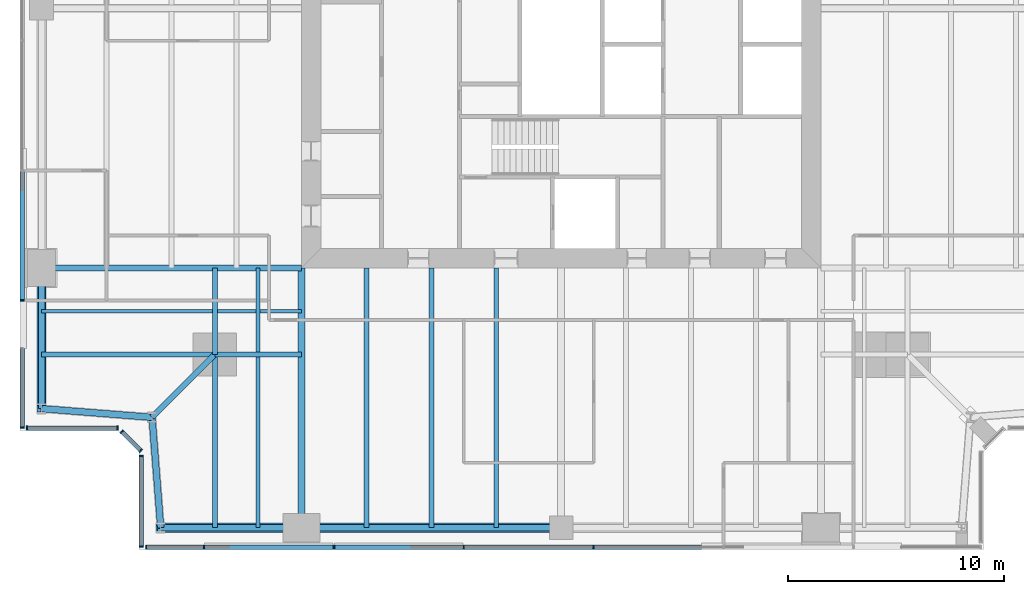
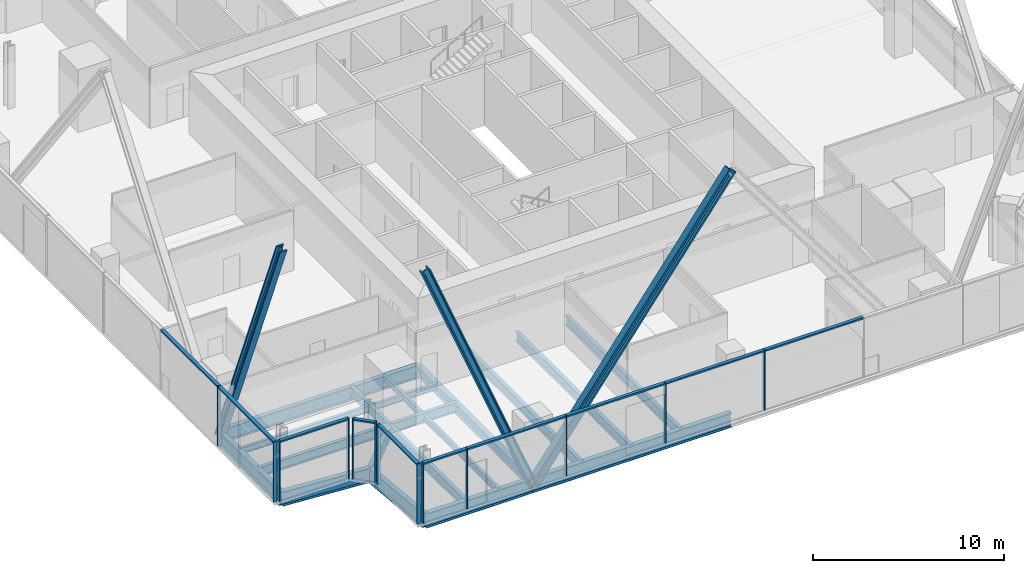
# One storey, part 2 of 13: 26 members, 20 beams, 5 elements without a shape of their own.
"""IFC4 building model written with IfcOpenShell, lengths in metres."""

import ifcopenshell
import ifcopenshell.guid

model = None  # the IFC model being written
_history = None  # IfcOwnerHistory: only IFC2X3 demands one
_inside = {}  # id of a spatial element -> (the spatial element, [elements in it])
_under = {}  # id of a project, library or spatial element -> (it, [spatial elements below it])
_declared = {}  # id of a project -> (the project, [libraries it declares])
_typed = {}  # id of a type object -> (the type object, [elements of that type])
_made_of = {}  # id of a material, layer set ... -> (it, [elements and type objects made of it])


def new_model(schema):
    """Start an empty IFC model of exactly this schema.

    Asked for "IFC4X3", IfcOpenShell would pick the latest addendum, in which some entities
    have other attributes; the version numbers below select the first issue.
    IFC2X3 requires an IfcOwnerHistory on every rooted entity: one is made here for all.
    """
    global model, _history
    if schema == "IFC4X3":
        model = ifcopenshell.file(schema_version=(4, 3, 0, 0))
    else:
        model = ifcopenshell.file(schema=schema)
    _inside.clear()
    _under.clear()
    _declared.clear()
    _typed.clear()
    _made_of.clear()
    _history = None
    if model.schema == "IFC2X3":
        org = make("IfcOrganization", Name="unknown")
        user = make(
            "IfcPersonAndOrganization",
            ThePerson=make("IfcPerson", FamilyName="unknown"),
            TheOrganization=org,
        )
        app = make(
            "IfcApplication",
            ApplicationDeveloper=org,
            Version="unknown",
            ApplicationFullName="unknown",
            ApplicationIdentifier="unknown",
        )
        _history = make(
            "IfcOwnerHistory",
            OwningUser=user,
            OwningApplication=app,
            ChangeAction="ADDED",
            CreationDate=0,
        )
    return model


def make(cls, **values):
    """One entity of the class cls with the attributes given. An attribute that is None is left unset."""
    return model.create_entity(
        cls, **{name: value for name, value in values.items() if value is not None}
    )


def rooted(cls, **values):
    """An entity with a GlobalId (a new one), such as an element, a storey or a relation."""
    return make(cls, GlobalId=ifcopenshell.guid.new(), OwnerHistory=_history, **values)


def si_unit(unit_type, name, prefix=None):
    """IfcSIUnit, for example si_unit("LENGTHUNIT", "METRE", prefix="MILLI")."""
    return make("IfcSIUnit", UnitType=unit_type, Prefix=prefix, Name=name)


def assignment(units):
    """IfcUnitAssignment: the units of a project."""
    return None if units is None else make("IfcUnitAssignment", Units=units)


def point(xyz):
    """IfcCartesianPoint."""
    return None if xyz is None else make("IfcCartesianPoint", Coordinates=xyz)


def direction(xyz):
    """IfcDirection."""
    return None if xyz is None else make("IfcDirection", DirectionRatios=xyz)


def frame(location, z_axis=None, x_axis=None):
    """IfcAxis2Placement3D, a coordinate frame: its origin and axes. An axis left out is left unset."""
    return make(
        "IfcAxis2Placement3D",
        Location=point(location),
        Axis=direction(z_axis),
        RefDirection=direction(x_axis),
    )


def frame_2d(location, x_axis=None):
    """IfcAxis2Placement2D, a coordinate frame in the plane: its origin and x axis."""
    return make(
        "IfcAxis2Placement2D", Location=point(location), RefDirection=direction(x_axis)
    )


def origin():
    """The frame at (0, 0, 0) with its axes left unset."""
    return frame((0.0, 0.0, 0.0))


def origin_2d():
    """The frame at (0, 0) in the plane with its x axis left unset."""
    return frame_2d((0.0, 0.0))


def place(relative_to, where):
    """IfcLocalPlacement: puts the frame where relative to a parent placement (None: the world)."""
    return make(
        "IfcLocalPlacement", PlacementRelTo=relative_to, RelativePlacement=where
    )


def context(
    kind, dimensions, precision=None, world=None, true_north=None, identifier=None
):
    """IfcGeometricRepresentationContext, for example the 3D "Model" context."""
    return make(
        "IfcGeometricRepresentationContext",
        ContextIdentifier=identifier,
        ContextType=kind,
        CoordinateSpaceDimension=dimensions,
        Precision=precision,
        WorldCoordinateSystem=world,
        TrueNorth=true_north,
    )


def subcontext(parent, identifier, kind, view, scale=None):
    """IfcGeometricRepresentationSubContext, for example "Body" below "Model"."""
    return make(
        "IfcGeometricRepresentationSubContext",
        ContextIdentifier=identifier,
        ContextType=kind,
        ParentContext=parent,
        TargetScale=scale,
        TargetView=view,
    )


def project(units=None, contexts=None):
    """IfcProject with its units and contexts."""
    return rooted(
        "IfcProject",
        Name="project",
        RepresentationContexts=contexts,
        UnitsInContext=assignment(units),
    )


def spatial(cls, under=None, at=None, **own):
    """A site, building, storey or space (cls), placed at a placement, below another one or the project."""
    s = rooted(cls, ObjectPlacement=at, **own)
    if under is not None:
        _under.setdefault(under.id(), (under, []))[1].append(s)
    return s


def profile(cls, at=None, kind="AREA", **sizes):
    """A parametric profile (cls). Its sizes go by their IFC names, for example OverallWidth=200.0."""
    return make(cls, ProfileType=kind, Position=at, **sizes)


def rectangle(**sizes):
    """IfcRectangleProfileDef."""
    return profile("IfcRectangleProfileDef", **sizes)


def i_section(**sizes):
    """IfcIShapeProfileDef."""
    return profile("IfcIShapeProfileDef", **sizes)


def extrude(swept, where, along, depth):
    """IfcExtrudedAreaSolid: the profile swept, set in the frame where, extruded along a direction by depth."""
    return make(
        "IfcExtrudedAreaSolid",
        SweptArea=swept,
        Position=where,
        ExtrudedDirection=direction(along),
        Depth=depth,
    )


def shape(context_of_items, identifier, shape_type, items):
    """IfcShapeRepresentation: the items that make up one representation, for example the "Body"."""
    return make(
        "IfcShapeRepresentation",
        ContextOfItems=context_of_items,
        RepresentationIdentifier=identifier,
        RepresentationType=shape_type,
        Items=items,
    )


def material(Name=None, Category=None):
    """IfcMaterial."""
    return make("IfcMaterial", Name=Name, Category=Category)


def material_profile(
    of_material, cross_section, Name=None, Category=None, Priority=None
):
    """IfcMaterialProfile: a cross section and its material."""
    return make(
        "IfcMaterialProfile",
        Name=Name,
        Material=of_material,
        Profile=cross_section,
        Priority=Priority,
        Category=Category,
    )


def profile_set(profiles, Name=None, composite=None):
    """IfcMaterialProfileSet."""
    return make(
        "IfcMaterialProfileSet",
        Name=Name,
        MaterialProfiles=profiles,
        CompositeProfile=composite,
    )


def made_of(thing, what):
    """Note that an element or type object is made of a material, layer set ...; save() writes the relation."""
    if what is not None:
        _made_of.setdefault(what.id(), (what, []))[1].append(thing)
    return thing


def type_object(cls, material=None, **own):
    """A type object (cls), such as IfcWallType, which elements share."""
    return made_of(rooted(cls, **own), material)


def element(
    cls,
    number,
    at=None,
    inside=None,
    cuts=None,
    type_object=None,
    material=None,
    context=None,
    identifier="Body",
    shape_type=None,
    held_by="IfcProductDefinitionShape",
    body=None,
    shapes=None,
    **own,
):
    """One element of the class cls, such as IfcWall. Its Tag is "e" and its number.

    at: its placement. inside: the storey or other place that contains it. cuts: it is an
    opening in that element (IfcRelVoidsElement). A single representation is given by context,
    identifier, shape_type and body (its items); several are given by shapes. held_by: the class
    of the entity that holds the representations. save() writes the other relations.
    """
    e = rooted(cls, Tag="e%d" % number, ObjectPlacement=at, **own)
    if body is not None:
        shapes = [shape(context, identifier, shape_type, body)]
    if shapes is not None:
        e.Representation = make(held_by, Representations=shapes)
    if inside is not None:
        _inside.setdefault(inside.id(), (inside, []))[1].append(e)
    if cuts is not None:
        rooted(
            "IfcRelVoidsElement", RelatingBuildingElement=cuts, RelatedOpeningElement=e
        )
    if type_object is not None:
        _typed.setdefault(type_object.id(), (type_object, []))[1].append(e)
    return made_of(e, material)


def aggregate(whole, parts):
    """IfcRelAggregates: a whole, such as a stair, and the parts it consists of."""
    return rooted("IfcRelAggregates", RelatingObject=whole, RelatedObjects=parts)


def save(model, path):
    """Write the relations noted so far, then the file.

    IfcRelAggregates (storeys below a building ...), IfcRelContainedInSpatialStructure (elements
    in a storey), IfcRelDefinesByType, IfcRelAssociatesMaterial and IfcRelDeclares: one each for
    every whole, place, type object, material and project.
    """
    for whole, parts in _under.values():
        aggregate(whole, parts)
    for where, things in _inside.values():
        rooted(
            "IfcRelContainedInSpatialStructure",
            RelatedElements=things,
            RelatingStructure=where,
        )
    for kind, things in _typed.values():
        rooted("IfcRelDefinesByType", RelatedObjects=things, RelatingType=kind)
    for what, things in _made_of.values():
        rooted("IfcRelAssociatesMaterial", RelatedObjects=things, RelatingMaterial=what)
    for by, libraries in _declared.values():
        rooted("IfcRelDeclares", RelatingContext=by, RelatedDefinitions=libraries)
    model.write(path)


model = new_model("IFC4")

# Units and contexts
model_context = context("Model", 3, precision=1e-05, world=origin(), true_north=direction((0.0, 1.0)))
body_context = subcontext(model_context, "Body", "Model", "MODEL_VIEW")
ifc_project = project(units=[si_unit("LENGTHUNIT", "METRE"), si_unit("AREAUNIT", "SQUARE_METRE"), si_unit("VOLUMEUNIT", "CUBIC_METRE"), si_unit("PLANEANGLEUNIT", "RADIAN"), si_unit("MASSUNIT", "GRAM", prefix="KILO")], contexts=[model_context])

# Site, building, storey
site_placement = place(None, origin())
site = spatial("IfcSite", under=ifc_project, at=site_placement, CompositionType="ELEMENT")
building_placement = place(site_placement, origin())
building = spatial("IfcBuilding", under=site, at=building_placement, Name="Fenwick Lantern Interchange", CompositionType="ELEMENT")
storey_placement = place(building_placement, frame((0.0, 0.0, 201.800048828125)))
storey = spatial("IfcBuildingStorey", under=building, at=storey_placement, Name="L47", CompositionType="ELEMENT", Elevation=201.800048828125)

# Beams
ifc_material_1 = material(Name="Steel ASTM A992 Grade 50", Category="steel")
ifc_material_profile_1 = material_profile(ifc_material_1, i_section(OverallWidth=0.3046875, OverallDepth=0.911865234375, WebThickness=0.015869140625, FlangeThickness=0.02392578125, at=origin_2d()), Name="W36X150")
ifc_profile_set_1 = profile_set([ifc_material_profile_1], Name="Steel ASTM A992 Grade 50")
beam_type_1 = type_object("IfcBeamType", Name="EDGE BEAM W36X150", PredefinedType="SPANDREL", material=ifc_profile_set_1)
beam_1_placement = place(storey_placement, frame((6.5, 1.0, -0.60595703125), z_axis=(1.0, 0.0, 0.0), x_axis=(0.0, 1.0, 0.0)))
element("IfcBeam", 1, at=beam_1_placement, inside=storey, type_object=beam_type_1, Name="L47/FR/S/EB1", PredefinedType="SPANDREL", context=body_context, shape_type="SweptSolid", body=[
    extrude(i_section(OverallWidth=0.3046875, OverallDepth=0.911865234375, WebThickness=0.015869140625, FlangeThickness=0.02392578125, at=origin_2d()), origin(), (0.0, 0.0, 1.0), 6.5),
])
beam_2_placement = place(storey_placement, frame((13.0, 1.0, -0.60595703125), z_axis=(1.0, 0.0, 0.0), x_axis=(0.0, 1.0, 0.0)))
element("IfcBeam", 2, at=beam_2_placement, inside=storey, type_object=beam_type_1, Name="L47/FR/S/EB2", PredefinedType="SPANDREL", context=body_context, shape_type="SweptSolid", body=[
    extrude(i_section(OverallWidth=0.3046875, OverallDepth=0.911865234375, WebThickness=0.015869140625, FlangeThickness=0.02392578125, at=origin_2d()), origin(), (0.0, 0.0, 1.0), 12.0),
])
beam_3_placement = place(storey_placement, frame((1.0, 13.0, -0.60595703125), z_axis=(0.0, -1.0, 0.0), x_axis=(1.0, 0.0, 0.0)))
element("IfcBeam", 3, at=beam_3_placement, inside=storey, type_object=beam_type_1, Name="L47/FR/W/EB4", PredefinedType="SPANDREL", context=body_context, shape_type="SweptSolid", body=[
    extrude(i_section(OverallWidth=0.3046875, OverallDepth=0.911865234375, WebThickness=0.015869140625, FlangeThickness=0.02392578125, at=origin_2d()), origin(), (0.0, 0.0, 1.0), 6.5),
])
for number, where, z_axis, x_axis, name in (
    (4, (1.0, 6.5, -0.60595703125), (0.99693998236, -0.078170784639, 0.0), (0.078170784639, 0.99693998236, 0.0), "L47/FR/W/EBR1"),
    (5, (6.10009765625, 6.10009765625, -0.60595703125), (0.078170784639, -0.99693998236, 0.0), (0.99693998236, 0.078170784639, 0.0), "L47/FR/W/EBR2"),
):
    element("IfcBeam", number, at=place(storey_placement, frame(where, z_axis=z_axis, x_axis=x_axis)), inside=storey, type_object=beam_type_1, Name=name, PredefinedType="SPANDREL", context=body_context, shape_type="SweptSolid", body=[
        extrude(i_section(OverallWidth=0.3046875, OverallDepth=0.911865234375, WebThickness=0.015869140625, FlangeThickness=0.02392578125, at=origin_2d()), origin(), (0.0, 0.0, 1.0), 5.11572265625),
    ])

# Members
ifc_material_profile_2 = material_profile(ifc_material_1, i_section(OverallWidth=0.424072265625, OverallDepth=0.47509765625, WebThickness=0.0478515625, FlangeThickness=0.0771484375, at=origin_2d()), Name="W14X426")
ifc_profile_set_2 = profile_set([ifc_material_profile_2], Name="Steel ASTM A992 Grade 50")
member_type_1 = type_object("IfcMemberType", Name="FACADE BRACE W14X426", PredefinedType="BRACE", material=ifc_profile_set_2)
for number, where, z_axis, x_axis, name in (
    (6, (13.0, 1.0, -0.60595703125), (-0.376377046956, 0.0, 0.926466577122), (0.0, -1.0, 0.0), "L47/FB/S/AE"),
    (7, (1.0, 13.0, -0.60595703125), (0.0, -0.376377046956, 0.926466577122), (1.0, 0.0, 0.0), "L47/FB/W/BE"),
):
    element("IfcMember", number, at=place(storey_placement, frame(where, z_axis=z_axis, x_axis=x_axis)), inside=storey, type_object=member_type_1, Name=name, PredefinedType="BRACE", context=body_context, shape_type="SweptSolid", body=[
        extrude(i_section(OverallWidth=0.424072265625, OverallDepth=0.47509765625, WebThickness=0.0478515625, FlangeThickness=0.0771484375, at=origin_2d()), origin(), (0.0, 0.0, 1.0), 17.27001953125),
    ])
ifc_material_profile_3 = material_profile(ifc_material_1, i_section(OverallWidth=0.44189453125, OverallDepth=0.53076171875, WebThickness=0.06591796875, FlangeThickness=0.105712890625, at=origin_2d()), Name="W14X605")
ifc_profile_set_3 = profile_set([ifc_material_profile_3], Name="Steel ASTM A992 Grade 50")
member_type_2 = type_object("IfcMemberType", Name="FACADE BRACE W14X605", PredefinedType="BRACE", material=ifc_profile_set_3)
member_1_placement = place(storey_placement, frame((13.0, 1.0, -0.60595703125), z_axis=(0.6, 0.0, 0.8), x_axis=(0.0, 1.0, 0.0)))
element("IfcMember", 8, at=member_1_placement, inside=storey, type_object=member_type_2, Name="L47/FB/S/A", PredefinedType="BRACE", context=body_context, shape_type="SweptSolid", body=[
    extrude(i_section(OverallWidth=0.44189453125, OverallDepth=0.53076171875, WebThickness=0.06591796875, FlangeThickness=0.105712890625, at=origin_2d()), origin(), (0.0, 0.0, 1.0), 20.0),
])

# Beams
ifc_material_profile_4 = material_profile(ifc_material_1, i_section(OverallWidth=0.22900390625, OverallDepth=0.612060546875, WebThickness=0.011962890625, FlangeThickness=0.01953125, at=origin_2d()), Name="W24X84")
ifc_profile_set_4 = profile_set([ifc_material_profile_4], Name="Steel ASTM A992 Grade 50")
beam_type_2 = type_object("IfcBeamType", Name="FLOOR BEAM W24X84", PredefinedType="BEAM", material=ifc_profile_set_4)
for number, where, z_axis, x_axis, name in (
    (9, (16.0, 1.0, -0.4560546875), (0.0, 1.0, 0.0), (-1.0, 0.0, 0.0), "L47/FR/S/R02"),
    (10, (19.0, 1.0, -0.4560546875), (0.0, 1.0, 0.0), (-1.0, 0.0, 0.0), "L47/FR/S/R03"),
    (11, (22.0, 1.0, -0.4560546875), (0.0, 1.0, 0.0), (-1.0, 0.0, 0.0), "L47/FR/S/R04"),
):
    element("IfcBeam", number, at=place(storey_placement, frame(where, z_axis=z_axis, x_axis=x_axis)), inside=storey, type_object=beam_type_2, Name=name, PredefinedType="BEAM", context=body_context, shape_type="SweptSolid", body=[
        extrude(i_section(OverallWidth=0.22900390625, OverallDepth=0.612060546875, WebThickness=0.011962890625, FlangeThickness=0.01953125, at=origin_2d()), origin(), (0.0, 0.0, 1.0), 12.0),
    ])
ifc_material_profile_5 = material_profile(ifc_material_1, i_section(OverallWidth=0.177734375, OverallDepth=0.406494140625, WebThickness=0.0078125, FlangeThickness=0.012939453125, at=origin_2d()), Name="W16X40")
ifc_profile_set_5 = profile_set([ifc_material_profile_5], Name="Steel ASTM A992 Grade 50")
beam_type_3 = type_object("IfcBeamType", Name="INFILL BEAM W16X40", PredefinedType="JOIST", material=ifc_profile_set_5)
beam_4_placement = place(storey_placement, frame((11.0, 1.0, -0.353271484375), z_axis=(0.0, 1.0, 0.0), x_axis=(-1.0, 0.0, 0.0)))
element("IfcBeam", 12, at=beam_4_placement, inside=storey, type_object=beam_type_3, Name="L47/FR/S/J1", PredefinedType="JOIST", context=body_context, shape_type="SweptSolid", body=[
    extrude(i_section(OverallWidth=0.177734375, OverallDepth=0.406494140625, WebThickness=0.0078125, FlangeThickness=0.012939453125, at=origin_2d()), origin(), (0.0, 0.0, 1.0), 7.885498046875),
])
beam_5_placement = place(storey_placement, frame((11.0, 9.114501953125, -0.353271484375), z_axis=(0.0, 1.0, 0.0), x_axis=(-1.0, 0.0, 0.0)))
element("IfcBeam", 13, at=beam_5_placement, inside=storey, type_object=beam_type_3, Name="L47/FR/S/J2", PredefinedType="JOIST", context=body_context, shape_type="SweptSolid", body=[
    extrude(i_section(OverallWidth=0.177734375, OverallDepth=0.406494140625, WebThickness=0.0078125, FlangeThickness=0.012939453125, at=origin_2d()), origin(), (0.0, 0.0, 1.0), 3.885498046875),
])
beam_6_placement = place(storey_placement, frame((1.0, 11.0, -0.353271484375), z_axis=(1.0, 0.0, 0.0), x_axis=(0.0, 1.0, 0.0)))
element("IfcBeam", 14, at=beam_6_placement, inside=storey, type_object=beam_type_3, Name="L47/FR/S/J3", PredefinedType="JOIST", context=body_context, shape_type="SweptSolid", body=[
    extrude(i_section(OverallWidth=0.177734375, OverallDepth=0.406494140625, WebThickness=0.0078125, FlangeThickness=0.012939453125, at=origin_2d()), origin(), (0.0, 0.0, 1.0), 7.885498046875),
])
beam_7_placement = place(storey_placement, frame((9.114501953125, 11.0, -0.353271484375), z_axis=(1.0, 0.0, 0.0), x_axis=(0.0, 1.0, 0.0)))
element("IfcBeam", 15, at=beam_7_placement, inside=storey, type_object=beam_type_3, Name="L47/FR/S/J4", PredefinedType="JOIST", context=body_context, shape_type="SweptSolid", body=[
    extrude(i_section(OverallWidth=0.177734375, OverallDepth=0.406494140625, WebThickness=0.0078125, FlangeThickness=0.012939453125, at=origin_2d()), origin(), (0.0, 0.0, 1.0), 1.796630859375),
])
beam_8_placement = place(storey_placement, frame((11.0888671875, 11.0, -0.353271484375), z_axis=(1.0, 0.0, 0.0), x_axis=(0.0, 1.0, 0.0)))
element("IfcBeam", 16, at=beam_8_placement, inside=storey, type_object=beam_type_3, Name="L47/FR/S/J5", PredefinedType="JOIST", context=body_context, shape_type="SweptSolid", body=[
    extrude(i_section(OverallWidth=0.177734375, OverallDepth=0.406494140625, WebThickness=0.0078125, FlangeThickness=0.012939453125, at=origin_2d()), origin(), (0.0, 0.0, 1.0), 1.9111328125),
])
ifc_material_profile_6 = material_profile(ifc_material_1, i_section(OverallWidth=0.22900390625, OverallDepth=0.612060546875, WebThickness=0.011962890625, FlangeThickness=0.01953125, at=origin_2d()), Name="W24X84")
ifc_profile_set_6 = profile_set([ifc_material_profile_6], Name="Steel ASTM A992 Grade 50")
beam_type_4 = type_object("IfcBeamType", Name="MEGA COLUMN BEAM W24X84", PredefinedType="BEAM", material=ifc_profile_set_6)
for number, where, z_axis, x_axis, name in (
    (17, (9.0, 9.0, -0.4560546875), (0.0, -1.0, 0.0), (1.0, 0.0, 0.0), "L47/FR/S/MB1"),
    (18, (9.0, 9.0, -0.4560546875), (-1.0, 0.0, 0.0), (0.0, -1.0, 0.0), "L47/FR/S/MB2"),
):
    element("IfcBeam", number, at=place(storey_placement, frame(where, z_axis=z_axis, x_axis=x_axis)), inside=storey, type_object=beam_type_4, Name=name, PredefinedType="BEAM", context=body_context, shape_type="SweptSolid", body=[
        extrude(i_section(OverallWidth=0.22900390625, OverallDepth=0.612060546875, WebThickness=0.011962890625, FlangeThickness=0.01953125, at=origin_2d()), origin(), (0.0, 0.0, 1.0), 8.0),
    ])
for number, where, z_axis, x_axis, name in (
    (19, (9.0, 9.0, -0.4560546875), (1.0, 0.0, 0.0), (0.0, 1.0, 0.0), "L47/FR/S/MB3"),
    (20, (9.0, 9.0, -0.4560546875), (0.0, 1.0, 0.0), (-1.0, 0.0, 0.0), "L47/FR/S/MB4"),
):
    element("IfcBeam", number, at=place(storey_placement, frame(where, z_axis=z_axis, x_axis=x_axis)), inside=storey, type_object=beam_type_4, Name=name, PredefinedType="BEAM", context=body_context, shape_type="SweptSolid", body=[
        extrude(i_section(OverallWidth=0.22900390625, OverallDepth=0.612060546875, WebThickness=0.011962890625, FlangeThickness=0.01953125, at=origin_2d()), origin(), (0.0, 0.0, 1.0), 4.0),
    ])
ifc_material_profile_7 = material_profile(ifc_material_1, i_section(OverallWidth=0.32763671875, OverallDepth=0.622314453125, WebThickness=0.015380859375, FlangeThickness=0.0244140625, at=origin_2d()), Name="W24X131")
ifc_profile_set_7 = profile_set([ifc_material_profile_7], Name="Steel ASTM A992 Grade 50")
beam_type_5 = type_object("IfcBeamType", Name="MOMENT-CONNECTED GIRDER W24X131", PredefinedType="BEAM", material=ifc_profile_set_7)
beam_9_placement = place(storey_placement, frame((13.0, 1.0, -0.461181640625), z_axis=(0.0, 1.0, 0.0), x_axis=(-1.0, 0.0, 0.0)))
element("IfcBeam", 21, at=beam_9_placement, inside=storey, type_object=beam_type_5, Name="L47/FR/S/R01", PredefinedType="BEAM", context=body_context, shape_type="SweptSolid", body=[
    extrude(i_section(OverallWidth=0.32763671875, OverallDepth=0.622314453125, WebThickness=0.015380859375, FlangeThickness=0.0244140625, at=origin_2d()), origin(), (0.0, 0.0, 1.0), 12.0),
])
ifc_material_profile_8 = material_profile(ifc_material_1, i_section(OverallWidth=0.2919921875, OverallDepth=0.845703125, WebThickness=0.015380859375, FlangeThickness=0.0244140625, at=origin_2d()), Name="W33X141")
ifc_profile_set_8 = profile_set([ifc_material_profile_8], Name="Steel ASTM A992 Grade 50")
beam_type_6 = type_object("IfcBeamType", Name="MOMENT-CONNECTED GIRDER W33X141", PredefinedType="BEAM", material=ifc_profile_set_8)
beam_10_placement = place(storey_placement, frame((1.0, 13.0, -0.572998046875), z_axis=(1.0, 0.0, 0.0), x_axis=(0.0, 1.0, 0.0)))
element("IfcBeam", 22, at=beam_10_placement, inside=storey, type_object=beam_type_6, Name="L47/FR/W/R03", PredefinedType="BEAM", context=body_context, shape_type="SweptSolid", body=[
    extrude(i_section(OverallWidth=0.2919921875, OverallDepth=0.845703125, WebThickness=0.015380859375, FlangeThickness=0.0244140625, at=origin_2d()), origin(), (0.0, 0.0, 1.0), 12.0),
])
ifc_material_profile_9 = material_profile(ifc_material_1, i_section(OverallWidth=0.2666015625, OverallDepth=0.7568359375, WebThickness=0.013916015625, FlangeThickness=0.019287109375, at=origin_2d()), Name="W30X108")
ifc_profile_set_9 = profile_set([ifc_material_profile_9], Name="Steel ASTM A992 Grade 50")
beam_type_7 = type_object("IfcBeamType", Name="NOTCH BEAM W30X108", PredefinedType="BEAM", material=ifc_profile_set_9)
beam_11_placement = place(storey_placement, frame((9.0, 9.0, -0.528564453125), z_axis=(-0.707106781187, -0.707106781187, 0.0), x_axis=(0.707106781187, -0.707106781187, 0.0)))
element("IfcBeam", 23, at=beam_11_placement, inside=storey, type_object=beam_type_7, Name="L47/FR/S/TG", PredefinedType="BEAM", context=body_context, shape_type="SweptSolid", body=[
    extrude(i_section(OverallWidth=0.2666015625, OverallDepth=0.7568359375, WebThickness=0.013916015625, FlangeThickness=0.019287109375, at=origin_2d()), origin(), (0.0, 0.0, 1.0), 4.10107421875),
])

# Curtain wall, members
ifc_material_2 = material(Name="Aluminium curtain wall frame", Category="aluminium")
curtain_wall_type = type_object("IfcCurtainWallType", Name="OFFICE CURTAIN WALL", PredefinedType="USERDEFINED", material=ifc_material_2)
curtain_wall_1_placement = place(storey_placement, origin())
curtain_wall_1 = element("IfcCurtainWall", 24, at=curtain_wall_1_placement, inside=storey, type_object=curtain_wall_type, Name="Office curtain wall 01", ObjectType="OFFICE CURTAIN WALL", PredefinedType="USERDEFINED")
ifc_material_3 = material(Name="Aluminium extrusion", Category="aluminium")
ifc_material_profile_10 = material_profile(ifc_material_3, rectangle(XDim=0.199951171875, YDim=0.06494140625, at=origin_2d()), Name="OFFICE CURTAIN WALL MULLION 65 X 200")
ifc_profile_set_10 = profile_set([ifc_material_profile_10], Name="Aluminium extrusion")
member_type_3 = type_object("IfcMemberType", Name="OFFICE CURTAIN WALL MULLION 65 X 200", PredefinedType="MULLION", material=ifc_profile_set_10)
member_2_placement = place(storey_placement, frame((5.83251953125, 0.10009765625, 0.0), z_axis=(0.0, 0.0, 1.0), x_axis=(0.0, 1.0, 0.0)))
member_2 = element("IfcMember", 25, at=member_2_placement, type_object=member_type_3, Name="L47/CW/01/M00", PredefinedType="MULLION", context=body_context, shape_type="SweptSolid", body=[
    extrude(rectangle(XDim=0.199951171875, YDim=0.06494140625, at=origin_2d()), origin(), (0.0, 0.0, 1.0), 3.849853515625),
])
member_3_placement = place(storey_placement, frame((8.5, 0.10009765625, 0.0), z_axis=(0.0, 0.0, 1.0), x_axis=(0.0, 1.0, 0.0)))
member_3 = element("IfcMember", 26, at=member_3_placement, type_object=member_type_3, Name="L47/CW/01/M01", PredefinedType="MULLION", context=body_context, shape_type="SweptSolid", body=[
    extrude(rectangle(XDim=0.199951171875, YDim=0.06494140625, at=origin_2d()), origin(), (0.0, 0.0, 1.0), 3.849853515625),
])
member_4_placement = place(storey_placement, frame((14.5, 0.10009765625, 0.0), z_axis=(0.0, 0.0, 1.0), x_axis=(0.0, 1.0, 0.0)))
member_4 = element("IfcMember", 27, at=member_4_placement, type_object=member_type_3, Name="L47/CW/01/M02", PredefinedType="MULLION", context=body_context, shape_type="SweptSolid", body=[
    extrude(rectangle(XDim=0.199951171875, YDim=0.06494140625, at=origin_2d()), origin(), (0.0, 0.0, 1.0), 3.849853515625),
])
member_5_placement = place(storey_placement, frame((20.5, 0.10009765625, 0.0), z_axis=(0.0, 0.0, 1.0), x_axis=(0.0, 1.0, 0.0)))
member_5 = element("IfcMember", 28, at=member_5_placement, type_object=member_type_3, Name="L47/CW/01/M03", PredefinedType="MULLION", context=body_context, shape_type="SweptSolid", body=[
    extrude(rectangle(XDim=0.199951171875, YDim=0.06494140625, at=origin_2d()), origin(), (0.0, 0.0, 1.0), 3.849853515625),
])
member_6_placement = place(storey_placement, frame((26.5, 0.10009765625, 0.0), z_axis=(0.0, 0.0, 1.0), x_axis=(0.0, 1.0, 0.0)))
member_6 = element("IfcMember", 29, at=member_6_placement, type_object=member_type_3, Name="L47/CW/01/M04", PredefinedType="MULLION", context=body_context, shape_type="SweptSolid", body=[
    extrude(rectangle(XDim=0.199951171875, YDim=0.06494140625, at=origin_2d()), origin(), (0.0, 0.0, 1.0), 3.849853515625),
])

curtain_wall_2_placement = place(storey_placement, origin())
curtain_wall_2 = element("IfcCurtainWall", 30, at=curtain_wall_2_placement, inside=storey, type_object=curtain_wall_type, Name="Office curtain wall 13", ObjectType="OFFICE CURTAIN WALL", PredefinedType="USERDEFINED")
member_7_placement = place(storey_placement, frame((0.10009765625, 11.5, 0.0), z_axis=(0.0, 0.0, 1.0), x_axis=(1.0, 0.0, 0.0)))
member_7 = element("IfcMember", 31, at=member_7_placement, type_object=member_type_3, Name="L47/CW/13/M06", PredefinedType="MULLION", context=body_context, shape_type="SweptSolid", body=[
    extrude(rectangle(XDim=0.199951171875, YDim=0.06494140625, at=origin_2d()), origin(), (0.0, 0.0, 1.0), 3.849853515625),
])
member_8_placement = place(storey_placement, frame((0.10009765625, 5.632568359375, 0.0), z_axis=(0.0, 0.0, 1.0), x_axis=(1.0, 0.0, 0.0)))
member_8 = element("IfcMember", 32, at=member_8_placement, type_object=member_type_3, Name="L47/CW/13/M07", PredefinedType="MULLION", context=body_context, shape_type="SweptSolid", body=[
    extrude(rectangle(XDim=0.199951171875, YDim=0.06494140625, at=origin_2d()), origin(), (0.0, 0.0, 1.0), 3.849853515625),
])

curtain_wall_3_placement = place(storey_placement, origin())
curtain_wall_3 = element("IfcCurtainWall", 33, at=curtain_wall_3_placement, inside=storey, type_object=curtain_wall_type, Name="Office curtain wall 14", ObjectType="OFFICE CURTAIN WALL", PredefinedType="USERDEFINED")
member_9_placement = place(storey_placement, frame((0.33251953125, 5.60009765625, 0.0), z_axis=(0.0, 0.0, 1.0), x_axis=(0.0, 1.0, 0.0)))
member_9 = element("IfcMember", 34, at=member_9_placement, type_object=member_type_3, Name="L47/CW/14/M00", PredefinedType="MULLION", context=body_context, shape_type="SweptSolid", body=[
    extrude(rectangle(XDim=0.199951171875, YDim=0.06494140625, at=origin_2d()), origin(), (0.0, 0.0, 1.0), 3.849853515625),
])
member_10_placement = place(storey_placement, frame((4.509033203125, 5.60009765625, 0.0), z_axis=(0.0, 0.0, 1.0), x_axis=(0.0, 1.0, 0.0)))
member_10 = element("IfcMember", 35, at=member_10_placement, type_object=member_type_3, Name="L47/CW/14/M01", PredefinedType="MULLION", context=body_context, shape_type="SweptSolid", body=[
    extrude(rectangle(XDim=0.199951171875, YDim=0.06494140625, at=origin_2d()), origin(), (0.0, 0.0, 1.0), 3.849853515625),
])

curtain_wall_4_placement = place(storey_placement, origin())
curtain_wall_4 = element("IfcCurtainWall", 36, at=curtain_wall_4_placement, inside=storey, type_object=curtain_wall_type, Name="Office curtain wall 15", ObjectType="OFFICE CURTAIN WALL", PredefinedType="USERDEFINED")
member_11_placement = place(storey_placement, frame((4.705810546875, 5.435546875, 0.0), z_axis=(0.0, 0.0, 1.0), x_axis=(0.707106781187, 0.707106781187, 0.0)))
member_11 = element("IfcMember", 37, at=member_11_placement, type_object=member_type_3, Name="L47/CW/15/M00", PredefinedType="MULLION", context=body_context, shape_type="SweptSolid", body=[
    extrude(rectangle(XDim=0.199951171875, YDim=0.06494140625, at=origin_2d()), origin(), (0.0, 0.0, 1.0), 3.849853515625),
])
member_12_placement = place(storey_placement, frame((5.576904296875, 4.564453125, 0.0), z_axis=(0.0, 0.0, 1.0), x_axis=(0.707106781187, 0.707106781187, 0.0)))
member_12 = element("IfcMember", 38, at=member_12_placement, type_object=member_type_3, Name="L47/CW/15/M01", PredefinedType="MULLION", context=body_context, shape_type="SweptSolid", body=[
    extrude(rectangle(XDim=0.199951171875, YDim=0.06494140625, at=origin_2d()), origin(), (0.0, 0.0, 1.0), 3.849853515625),
])

curtain_wall_5_placement = place(storey_placement, origin())
curtain_wall_5 = element("IfcCurtainWall", 39, at=curtain_wall_5_placement, inside=storey, type_object=curtain_wall_type, Name="Office curtain wall 16", ObjectType="OFFICE CURTAIN WALL", PredefinedType="USERDEFINED")
member_13_placement = place(storey_placement, frame((5.60009765625, 4.308837890625, 0.0), z_axis=(0.0, 0.0, 1.0), x_axis=(1.0, 0.0, 0.0)))
member_13 = element("IfcMember", 40, at=member_13_placement, type_object=member_type_3, Name="L47/CW/16/M00", PredefinedType="MULLION", context=body_context, shape_type="SweptSolid", body=[
    extrude(rectangle(XDim=0.199951171875, YDim=0.06494140625, at=origin_2d()), origin(), (0.0, 0.0, 1.0), 3.849853515625),
])
member_14_placement = place(storey_placement, frame((5.60009765625, 0.132568359375, 0.0), z_axis=(0.0, 0.0, 1.0), x_axis=(1.0, 0.0, 0.0)))
member_14 = element("IfcMember", 41, at=member_14_placement, type_object=member_type_3, Name="L47/CW/16/M01", PredefinedType="MULLION", context=body_context, shape_type="SweptSolid", body=[
    extrude(rectangle(XDim=0.199951171875, YDim=0.06494140625, at=origin_2d()), origin(), (0.0, 0.0, 1.0), 3.849853515625),
])

# Member
ifc_material_profile_11 = material_profile(ifc_material_3, rectangle(XDim=0.199951171875, YDim=0.10009765625, at=origin_2d()), Name="OFFICE CURTAIN WALL TRANSOM 100 X 200")
ifc_profile_set_11 = profile_set([ifc_material_profile_11], Name="Aluminium extrusion")
member_type_4 = type_object("IfcMemberType", Name="OFFICE CURTAIN WALL TRANSOM 100 X 200", PredefinedType="MULLION", material=ifc_profile_set_11)
member_15_placement = place(storey_placement, frame((5.864990234375, 0.10009765625, 3.800048828125), z_axis=(1.0, 0.0, 0.0), x_axis=(0.0, 1.0, 0.0)))
member_15 = element("IfcMember", 42, at=member_15_placement, type_object=member_type_4, Name="L47/CW/01/T00", PredefinedType="MULLION", context=body_context, shape_type="SweptSolid", body=[
    extrude(rectangle(XDim=0.199951171875, YDim=0.10009765625, at=origin_2d()), origin(), (0.0, 0.0, 1.0), 2.6025390625),
])

member_16_placement = place(storey_placement, frame((8.532470703125, 0.10009765625, 3.800048828125), z_axis=(1.0, 0.0, 0.0), x_axis=(0.0, 1.0, 0.0)))
member_16 = element("IfcMember", 43, at=member_16_placement, type_object=member_type_4, Name="L47/CW/01/T01", PredefinedType="MULLION", context=body_context, shape_type="SweptSolid", body=[
    extrude(rectangle(XDim=0.199951171875, YDim=0.10009765625, at=origin_2d()), origin(), (0.0, 0.0, 1.0), 5.93505859375),
])

member_17_placement = place(storey_placement, frame((14.532470703125, 0.10009765625, 3.800048828125), z_axis=(1.0, 0.0, 0.0), x_axis=(0.0, 1.0, 0.0)))
member_17 = element("IfcMember", 44, at=member_17_placement, type_object=member_type_4, Name="L47/CW/01/T02", PredefinedType="MULLION", context=body_context, shape_type="SweptSolid", body=[
    extrude(rectangle(XDim=0.199951171875, YDim=0.10009765625, at=origin_2d()), origin(), (0.0, 0.0, 1.0), 5.93505859375),
])

member_18_placement = place(storey_placement, frame((20.532470703125, 0.10009765625, 3.800048828125), z_axis=(1.0, 0.0, 0.0), x_axis=(0.0, 1.0, 0.0)))
member_18 = element("IfcMember", 45, at=member_18_placement, type_object=member_type_4, Name="L47/CW/01/T03", PredefinedType="MULLION", context=body_context, shape_type="SweptSolid", body=[
    extrude(rectangle(XDim=0.199951171875, YDim=0.10009765625, at=origin_2d()), origin(), (0.0, 0.0, 1.0), 5.93505859375),
])

member_19_placement = place(storey_placement, frame((26.532470703125, 0.10009765625, 3.800048828125), z_axis=(1.0, 0.0, 0.0), x_axis=(0.0, 1.0, 0.0)))
member_19 = element("IfcMember", 46, at=member_19_placement, type_object=member_type_4, Name="L47/CW/01/T04", PredefinedType="MULLION", context=body_context, shape_type="SweptSolid", body=[
    extrude(rectangle(XDim=0.199951171875, YDim=0.10009765625, at=origin_2d()), origin(), (0.0, 0.0, 1.0), 5.93505859375),
])

aggregate(curtain_wall_1, [member_2, member_3, member_4, member_5, member_6, member_15, member_16, member_17, member_18, member_19])

member_20_placement = place(storey_placement, frame((0.10009765625, 17.467529296875, 3.800048828125), z_axis=(0.0, -1.0, 0.0), x_axis=(1.0, 0.0, 0.0)))
member_20 = element("IfcMember", 47, at=member_20_placement, type_object=member_type_4, Name="L47/CW/13/T05", PredefinedType="MULLION", context=body_context, shape_type="SweptSolid", body=[
    extrude(rectangle(XDim=0.199951171875, YDim=0.10009765625, at=origin_2d()), origin(), (0.0, 0.0, 1.0), 5.93505859375),
])

member_21_placement = place(storey_placement, frame((0.10009765625, 11.467529296875, 3.800048828125), z_axis=(0.0, -1.0, 0.0), x_axis=(1.0, 0.0, 0.0)))
member_21 = element("IfcMember", 48, at=member_21_placement, type_object=member_type_4, Name="L47/CW/13/T06", PredefinedType="MULLION", context=body_context, shape_type="SweptSolid", body=[
    extrude(rectangle(XDim=0.199951171875, YDim=0.10009765625, at=origin_2d()), origin(), (0.0, 0.0, 1.0), 5.802490234375),
])

aggregate(curtain_wall_2, [member_7, member_8, member_20, member_21])

member_22_placement = place(storey_placement, frame((0.364990234375, 5.60009765625, 3.800048828125), z_axis=(1.0, 0.0, 0.0), x_axis=(0.0, 1.0, 0.0)))
member_22 = element("IfcMember", 49, at=member_22_placement, type_object=member_type_4, Name="L47/CW/14/T00", PredefinedType="MULLION", context=body_context, shape_type="SweptSolid", body=[
    extrude(rectangle(XDim=0.199951171875, YDim=0.10009765625, at=origin_2d()), origin(), (0.0, 0.0, 1.0), 4.111328125),
])

aggregate(curtain_wall_3, [member_9, member_10, member_22])

member_23_placement = place(storey_placement, frame((4.728759765625, 5.41259765625, 3.800048828125), z_axis=(0.707106781187, -0.707106781187, 0.0), x_axis=(0.707106781187, 0.707106781187, 0.0)))
member_23 = element("IfcMember", 50, at=member_23_placement, type_object=member_type_4, Name="L47/CW/15/T00", PredefinedType="MULLION", context=body_context, shape_type="SweptSolid", body=[
    extrude(rectangle(XDim=0.199951171875, YDim=0.10009765625, at=origin_2d()), origin(), (0.0, 0.0, 1.0), 1.1669921875),
])

aggregate(curtain_wall_4, [member_11, member_12, member_23])

member_24_placement = place(storey_placement, frame((5.60009765625, 4.2763671875, 3.800048828125), z_axis=(0.0, -1.0, 0.0), x_axis=(1.0, 0.0, 0.0)))
member_24 = element("IfcMember", 51, at=member_24_placement, type_object=member_type_4, Name="L47/CW/16/T00", PredefinedType="MULLION", context=body_context, shape_type="SweptSolid", body=[
    extrude(rectangle(XDim=0.199951171875, YDim=0.10009765625, at=origin_2d()), origin(), (0.0, 0.0, 1.0), 4.111328125),
])

aggregate(curtain_wall_5, [member_13, member_14, member_24])

save(model, "model.ifc")
